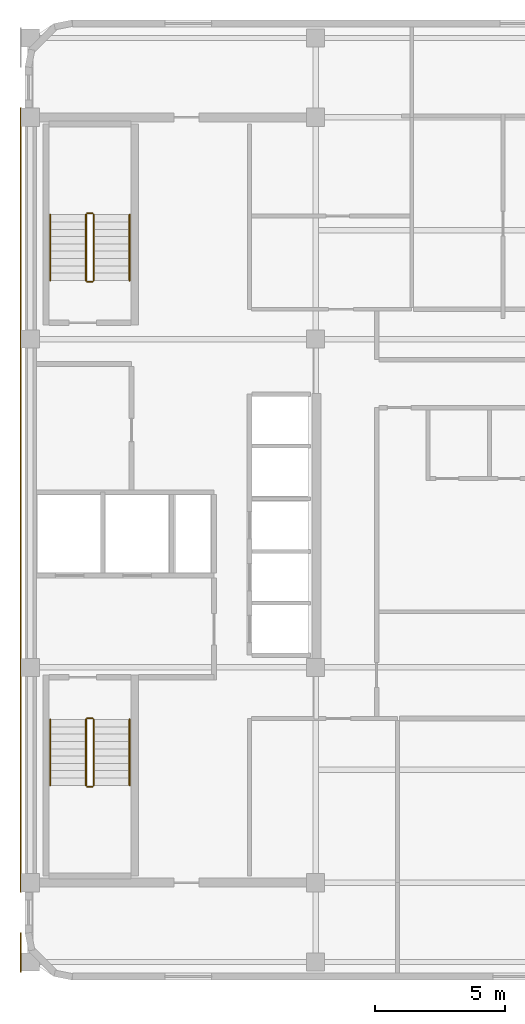
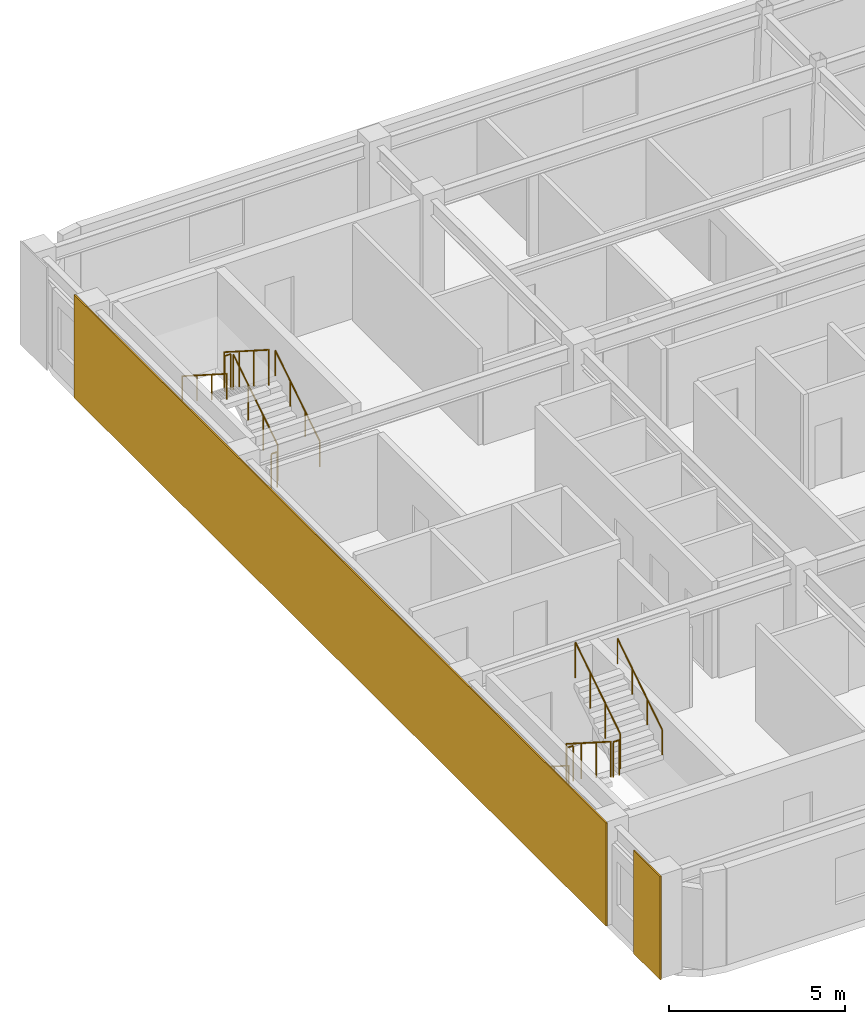
# One storey, part 7 of 8: 12 railings, 2 coverings.
"""IFC4 building model written with IfcOpenShell, lengths in metres."""

import ifcopenshell
import ifcopenshell.guid

model = None  # the IFC model being written
_history = None  # IfcOwnerHistory: only IFC2X3 demands one
_inside = {}  # id of a spatial element -> (the spatial element, [elements in it])
_under = {}  # id of a project, library or spatial element -> (it, [spatial elements below it])
_declared = {}  # id of a project -> (the project, [libraries it declares])
_typed = {}  # id of a type object -> (the type object, [elements of that type])
_made_of = {}  # id of a material, layer set ... -> (it, [elements and type objects made of it])


def new_model(schema):
    """Start an empty IFC model of exactly this schema.

    Asked for "IFC4X3", IfcOpenShell would pick the latest addendum, in which some entities
    have other attributes; the version numbers below select the first issue.
    IFC2X3 requires an IfcOwnerHistory on every rooted entity: one is made here for all.
    """
    global model, _history
    if schema == "IFC4X3":
        model = ifcopenshell.file(schema_version=(4, 3, 0, 0))
    else:
        model = ifcopenshell.file(schema=schema)
    _inside.clear()
    _under.clear()
    _declared.clear()
    _typed.clear()
    _made_of.clear()
    _history = None
    if model.schema == "IFC2X3":
        org = make("IfcOrganization", Name="unknown")
        user = make(
            "IfcPersonAndOrganization",
            ThePerson=make("IfcPerson", FamilyName="unknown"),
            TheOrganization=org,
        )
        app = make(
            "IfcApplication",
            ApplicationDeveloper=org,
            Version="unknown",
            ApplicationFullName="unknown",
            ApplicationIdentifier="unknown",
        )
        _history = make(
            "IfcOwnerHistory",
            OwningUser=user,
            OwningApplication=app,
            ChangeAction="ADDED",
            CreationDate=0,
        )
    return model


def make(cls, **values):
    """One entity of the class cls with the attributes given. An attribute that is None is left unset."""
    return model.create_entity(
        cls, **{name: value for name, value in values.items() if value is not None}
    )


def rooted(cls, **values):
    """An entity with a GlobalId (a new one), such as an element, a storey or a relation."""
    return make(cls, GlobalId=ifcopenshell.guid.new(), OwnerHistory=_history, **values)


def si_unit(unit_type, name, prefix=None):
    """IfcSIUnit, for example si_unit("LENGTHUNIT", "METRE", prefix="MILLI")."""
    return make("IfcSIUnit", UnitType=unit_type, Prefix=prefix, Name=name)


def assignment(units):
    """IfcUnitAssignment: the units of a project."""
    return None if units is None else make("IfcUnitAssignment", Units=units)


def point(xyz):
    """IfcCartesianPoint."""
    return None if xyz is None else make("IfcCartesianPoint", Coordinates=xyz)


def direction(xyz):
    """IfcDirection."""
    return None if xyz is None else make("IfcDirection", DirectionRatios=xyz)


def frame(location, z_axis=None, x_axis=None):
    """IfcAxis2Placement3D, a coordinate frame: its origin and axes. An axis left out is left unset."""
    return make(
        "IfcAxis2Placement3D",
        Location=point(location),
        Axis=direction(z_axis),
        RefDirection=direction(x_axis),
    )


def frame_2d(location, x_axis=None):
    """IfcAxis2Placement2D, a coordinate frame in the plane: its origin and x axis."""
    return make(
        "IfcAxis2Placement2D", Location=point(location), RefDirection=direction(x_axis)
    )


def origin():
    """The frame at (0, 0, 0) with its axes left unset."""
    return frame((0.0, 0.0, 0.0))


def origin_2d():
    """The frame at (0, 0) in the plane with its x axis left unset."""
    return frame_2d((0.0, 0.0))


def place(relative_to, where):
    """IfcLocalPlacement: puts the frame where relative to a parent placement (None: the world)."""
    return make(
        "IfcLocalPlacement", PlacementRelTo=relative_to, RelativePlacement=where
    )


def context(
    kind, dimensions, precision=None, world=None, true_north=None, identifier=None
):
    """IfcGeometricRepresentationContext, for example the 3D "Model" context."""
    return make(
        "IfcGeometricRepresentationContext",
        ContextIdentifier=identifier,
        ContextType=kind,
        CoordinateSpaceDimension=dimensions,
        Precision=precision,
        WorldCoordinateSystem=world,
        TrueNorth=true_north,
    )


def subcontext(parent, identifier, kind, view, scale=None):
    """IfcGeometricRepresentationSubContext, for example "Body" below "Model"."""
    return make(
        "IfcGeometricRepresentationSubContext",
        ContextIdentifier=identifier,
        ContextType=kind,
        ParentContext=parent,
        TargetScale=scale,
        TargetView=view,
    )


def project(units=None, contexts=None):
    """IfcProject with its units and contexts."""
    return rooted(
        "IfcProject",
        Name="project",
        RepresentationContexts=contexts,
        UnitsInContext=assignment(units),
    )


def spatial(cls, under=None, at=None, **own):
    """A site, building, storey or space (cls), placed at a placement, below another one or the project."""
    s = rooted(cls, ObjectPlacement=at, **own)
    if under is not None:
        _under.setdefault(under.id(), (under, []))[1].append(s)
    return s


def profile(cls, at=None, kind="AREA", **sizes):
    """A parametric profile (cls). Its sizes go by their IFC names, for example OverallWidth=200.0."""
    return make(cls, ProfileType=kind, Position=at, **sizes)


def rectangle(**sizes):
    """IfcRectangleProfileDef."""
    return profile("IfcRectangleProfileDef", **sizes)


def circle(**sizes):
    """IfcCircleProfileDef."""
    return profile("IfcCircleProfileDef", **sizes)


def extrude(swept, where, along, depth):
    """IfcExtrudedAreaSolid: the profile swept, set in the frame where, extruded along a direction by depth."""
    return make(
        "IfcExtrudedAreaSolid",
        SweptArea=swept,
        Position=where,
        ExtrudedDirection=direction(along),
        Depth=depth,
    )


def shape(context_of_items, identifier, shape_type, items):
    """IfcShapeRepresentation: the items that make up one representation, for example the "Body"."""
    return make(
        "IfcShapeRepresentation",
        ContextOfItems=context_of_items,
        RepresentationIdentifier=identifier,
        RepresentationType=shape_type,
        Items=items,
    )


def material(Name=None, Category=None):
    """IfcMaterial."""
    return make("IfcMaterial", Name=Name, Category=Category)


def layer(
    of_material, thickness, ventilated=None, Name=None, Category=None, Priority=None
):
    """IfcMaterialLayer: one layer of a wall or slab, of a material (None: an air gap)."""
    return make(
        "IfcMaterialLayer",
        Material=of_material,
        LayerThickness=thickness,
        IsVentilated=ventilated,
        Name=Name,
        Category=Category,
        Priority=Priority,
    )


def layer_set(layers, Name=None):
    """IfcMaterialLayerSet."""
    return make("IfcMaterialLayerSet", MaterialLayers=layers, LayerSetName=Name)


def made_of(thing, what):
    """Note that an element or type object is made of a material, layer set ...; save() writes the relation."""
    if what is not None:
        _made_of.setdefault(what.id(), (what, []))[1].append(thing)
    return thing


def type_object(cls, material=None, **own):
    """A type object (cls), such as IfcWallType, which elements share."""
    return made_of(rooted(cls, **own), material)


def element(
    cls,
    number,
    at=None,
    inside=None,
    cuts=None,
    type_object=None,
    material=None,
    context=None,
    identifier="Body",
    shape_type=None,
    held_by="IfcProductDefinitionShape",
    body=None,
    shapes=None,
    **own,
):
    """One element of the class cls, such as IfcWall. Its Tag is "e" and its number.

    at: its placement. inside: the storey or other place that contains it. cuts: it is an
    opening in that element (IfcRelVoidsElement). A single representation is given by context,
    identifier, shape_type and body (its items); several are given by shapes. held_by: the class
    of the entity that holds the representations. save() writes the other relations.
    """
    e = rooted(cls, Tag="e%d" % number, ObjectPlacement=at, **own)
    if body is not None:
        shapes = [shape(context, identifier, shape_type, body)]
    if shapes is not None:
        e.Representation = make(held_by, Representations=shapes)
    if inside is not None:
        _inside.setdefault(inside.id(), (inside, []))[1].append(e)
    if cuts is not None:
        rooted(
            "IfcRelVoidsElement", RelatingBuildingElement=cuts, RelatedOpeningElement=e
        )
    if type_object is not None:
        _typed.setdefault(type_object.id(), (type_object, []))[1].append(e)
    return made_of(e, material)


def aggregate(whole, parts):
    """IfcRelAggregates: a whole, such as a stair, and the parts it consists of."""
    return rooted("IfcRelAggregates", RelatingObject=whole, RelatedObjects=parts)


def save(model, path):
    """Write the relations noted so far, then the file.

    IfcRelAggregates (storeys below a building ...), IfcRelContainedInSpatialStructure (elements
    in a storey), IfcRelDefinesByType, IfcRelAssociatesMaterial and IfcRelDeclares: one each for
    every whole, place, type object, material and project.
    """
    for whole, parts in _under.values():
        aggregate(whole, parts)
    for where, things in _inside.values():
        rooted(
            "IfcRelContainedInSpatialStructure",
            RelatedElements=things,
            RelatingStructure=where,
        )
    for kind, things in _typed.values():
        rooted("IfcRelDefinesByType", RelatedObjects=things, RelatingType=kind)
    for what, things in _made_of.values():
        rooted("IfcRelAssociatesMaterial", RelatedObjects=things, RelatingMaterial=what)
    for by, libraries in _declared.values():
        rooted("IfcRelDeclares", RelatingContext=by, RelatedDefinitions=libraries)
    model.write(path)


model = new_model("IFC4")

# Units and contexts
model_context = context("Model", 3, precision=1e-05, world=origin(), true_north=direction((0.0, 1.0)))
body_context = subcontext(model_context, "Body", "Model", "MODEL_VIEW")
ifc_project = project(units=[si_unit("LENGTHUNIT", "METRE"), si_unit("AREAUNIT", "SQUARE_METRE"), si_unit("VOLUMEUNIT", "CUBIC_METRE"), si_unit("PLANEANGLEUNIT", "RADIAN"), si_unit("MASSUNIT", "GRAM", prefix="KILO")], contexts=[model_context])

# Site, building, storey
site_placement = place(None, origin())
site = spatial("IfcSite", under=ifc_project, at=site_placement, CompositionType="ELEMENT")
building_placement = place(site_placement, origin())
building = spatial("IfcBuilding", under=site, at=building_placement, Name="Ochreholt Gables", CompositionType="ELEMENT")
storey_placement = place(building_placement, frame((0.0, 0.0, 227.39990234375)))
storey = spatial("IfcBuildingStorey", under=building, at=storey_placement, Name="L59", CompositionType="ELEMENT", Elevation=227.39990234375)

# Coverings
ifc_material_1 = material(Name="Glazed Ochre Terracotta Rainscreen Cladding", Category="masonry")
ifc_layer = layer(ifc_material_1, 0.044921875, Name="Glazed Ochre Terracotta Rainscreen Cladding")
ifc_layer_set = layer_set([ifc_layer], Name="Glazed Ochre Terracotta Rainscreen Cladding")
covering_type = type_object("IfcCoveringType", Name="COV-CLAD-TC", PredefinedType="CLADDING", material=ifc_layer_set)
covering_1_placement = place(storey_placement, frame((23.827880859375, 24.0, 0.010009765625), z_axis=(0.0, 0.0, 1.0), x_axis=(0.0, 1.0, 0.0)))
element("IfcCovering", 1, at=covering_1_placement, inside=storey, type_object=covering_type, Name="L59 West Core Terracotta Rainscreen Cladding", PredefinedType="CLADDING", context=body_context, shape_type="SweptSolid", body=[
    extrude(rectangle(XDim=30.239990234375, YDim=0.044921875, at=origin_2d()), origin(), (0.0, 0.0, 1.0), 3.580078125),
])
covering_2_placement = place(storey_placement, frame((23.827880859375, 6.56005859375, 0.010009765625), z_axis=(0.0, 0.0, 1.0), x_axis=(0.0, 1.0, 0.0)))
element("IfcCovering", 2, at=covering_2_placement, inside=storey, type_object=covering_type, Name="L59 South-West Pier Terracotta Cladding", PredefinedType="CLADDING", context=body_context, shape_type="SweptSolid", body=[
    extrude(rectangle(XDim=1.52001953125, YDim=0.044921875, at=origin_2d()), origin(), (0.0, 0.0, 1.0), 3.580078125),
])

# Railings
ifc_material_2 = material(Name="Painted Steel Stair Guardrail", Category="steel")
railing_type_1 = type_object("IfcRailingType", Name="RL-ST-GUARD", PredefinedType="GUARDRAIL", material=ifc_material_2)
railing_1_placement = place(storey_placement, frame((26.35009765625, 15.5400390625, 0.18017578125)))
element("IfcRailing", 3, at=railing_1_placement, inside=storey, type_object=railing_type_1, Name="L59 ST-1 stair guard 1", PredefinedType="GUARDRAIL", context=body_context, shape_type="SweptSolid", body=[
    extrude(circle(Radius=0.02392578125, at=origin_2d()), frame((0.0, 0.0, 1.22607421875), z_axis=(0.0, -0.842949592929, 0.537992549931), x_axis=(1.0, 0.0, 0.0)), (0.0, 0.0, 1.0), 3.010986328125),
    extrude(circle(Radius=0.02099609375, at=origin_2d()), origin(), (0.0, 0.0, 1.0), 1.201904296875),
    extrude(circle(Radius=0.02099609375, at=origin_2d()), frame((0.0, -0.845947265625, 0.5400390625)), (0.0, 0.0, 1.0), 1.201904296875),
    extrude(circle(Radius=0.02099609375, at=origin_2d()), frame((0.0, -1.692138671875, 1.079833984375)), (0.0, 0.0, 1.0), 1.201904296875),
    extrude(circle(Radius=0.02099609375, at=origin_2d()), frame((0.0, -2.5380859375, 1.619873046875)), (0.0, 0.0, 1.0), 1.201904296875),
])
railing_2_placement = place(storey_placement, frame((26.39990234375, 12.951904296875, 1.800048828125)))
element("IfcRailing", 4, at=railing_2_placement, inside=storey, type_object=railing_type_1, Name="L59 ST-1 stair guard 2", PredefinedType="GUARDRAIL", context=body_context, shape_type="SweptSolid", body=[
    extrude(circle(Radius=0.02392578125, at=origin_2d()), frame((0.0, 0.0, 1.22607421875), z_axis=(1.0, 0.0, 0.0), x_axis=(0.0, 1.0, 0.0)), (0.0, 0.0, 1.0), 0.2001953125),
    extrude(circle(Radius=0.02099609375, at=origin_2d()), origin(), (0.0, 0.0, 1.0), 1.201904296875),
    extrude(circle(Radius=0.02099609375, at=origin_2d()), frame((0.2001953125, 0.0, 0.0)), (0.0, 0.0, 1.0), 1.201904296875),
])
railing_3_placement = place(storey_placement, frame((26.64990234375, 13.001953125, 1.97998046875)))
element("IfcRailing", 5, at=railing_3_placement, inside=storey, type_object=railing_type_1, Name="L59 ST-1 stair guard 3", PredefinedType="GUARDRAIL", context=body_context, shape_type="SweptSolid", body=[
    extrude(circle(Radius=0.02392578125, at=origin_2d()), frame((0.0, 0.0, 1.22607421875), z_axis=(0.0, 0.842912820907, 0.538050161556), x_axis=(-1.0, 0.0, 0.0)), (0.0, 0.0, 1.0), 3.010986328125),
    extrude(circle(Radius=0.02099609375, at=origin_2d()), origin(), (0.0, 0.0, 1.0), 1.201904296875),
    extrude(circle(Radius=0.02099609375, at=origin_2d()), frame((0.0, 0.845947265625, 0.5400390625)), (0.0, 0.0, 1.0), 1.201904296875),
    extrude(circle(Radius=0.02099609375, at=origin_2d()), frame((0.0, 1.692138671875, 1.080078125)), (0.0, 0.0, 1.0), 1.201904296875),
    extrude(circle(Radius=0.02099609375, at=origin_2d()), frame((0.0, 2.5380859375, 1.6201171875)), (0.0, 0.0, 1.0), 1.201904296875),
])
railing_4_placement = place(storey_placement, frame((26.39990234375, 15.590087890625, 0.0)))
element("IfcRailing", 6, at=railing_4_placement, inside=storey, type_object=railing_type_1, Name="L59 ST-1 stair guard 4", PredefinedType="GUARDRAIL", context=body_context, shape_type="SweptSolid", body=[
    extrude(circle(Radius=0.02392578125, at=origin_2d()), frame((0.0, 0.0, 1.22607421875), z_axis=(1.0, 0.0, 0.0), x_axis=(0.0, 1.0, 0.0)), (0.0, 0.0, 1.0), 0.2001953125),
    extrude(circle(Radius=0.02099609375, at=origin_2d()), origin(), (0.0, 0.0, 1.0), 1.201904296875),
    extrude(circle(Radius=0.02099609375, at=origin_2d()), frame((0.2001953125, 0.0, 0.0)), (0.0, 0.0, 1.0), 1.201904296875),
])
railing_5_placement = place(storey_placement, frame((26.64990234375, 32.4599609375, 0.18017578125)))
element("IfcRailing", 7, at=railing_5_placement, inside=storey, type_object=railing_type_1, Name="L59 ST-2 stair guard 1", PredefinedType="GUARDRAIL", context=body_context, shape_type="SweptSolid", body=[
    extrude(circle(Radius=0.02392578125, at=origin_2d()), frame((0.0, 0.0, 1.22607421875), z_axis=(0.0, 0.842949592929, 0.537992549931), x_axis=(-1.0, 0.0, 0.0)), (0.0, 0.0, 1.0), 3.010986328125),
    extrude(circle(Radius=0.02099609375, at=origin_2d()), origin(), (0.0, 0.0, 1.0), 1.201904296875),
    extrude(circle(Radius=0.02099609375, at=origin_2d()), frame((0.0, 0.845947265625, 0.5400390625)), (0.0, 0.0, 1.0), 1.201904296875),
    extrude(circle(Radius=0.02099609375, at=origin_2d()), frame((0.0, 1.692138671875, 1.079833984375)), (0.0, 0.0, 1.0), 1.201904296875),
    extrude(circle(Radius=0.02099609375, at=origin_2d()), frame((0.0, 2.5380859375, 1.619873046875)), (0.0, 0.0, 1.0), 1.201904296875),
])
railing_6_placement = place(storey_placement, frame((26.60009765625, 35.048095703125, 1.800048828125)))
element("IfcRailing", 8, at=railing_6_placement, inside=storey, type_object=railing_type_1, Name="L59 ST-2 stair guard 2", PredefinedType="GUARDRAIL", context=body_context, shape_type="SweptSolid", body=[
    extrude(circle(Radius=0.02392578125, at=origin_2d()), frame((0.0, 0.0, 1.22607421875), z_axis=(-1.0, 0.0, 0.0), x_axis=(0.0, -1.0, 0.0)), (0.0, 0.0, 1.0), 0.2001953125),
    extrude(circle(Radius=0.02099609375, at=origin_2d()), origin(), (0.0, 0.0, 1.0), 1.201904296875),
    extrude(circle(Radius=0.02099609375, at=origin_2d()), frame((-0.2001953125, 0.0, 0.0)), (0.0, 0.0, 1.0), 1.201904296875),
])
railing_7_placement = place(storey_placement, frame((26.35009765625, 34.998046875, 1.97998046875)))
element("IfcRailing", 9, at=railing_7_placement, inside=storey, type_object=railing_type_1, Name="L59 ST-2 stair guard 3", PredefinedType="GUARDRAIL", context=body_context, shape_type="SweptSolid", body=[
    extrude(circle(Radius=0.02392578125, at=origin_2d()), frame((0.0, 0.0, 1.22607421875), z_axis=(0.0, -0.842912820907, 0.538050161556), x_axis=(1.0, 0.0, 0.0)), (0.0, 0.0, 1.0), 3.010986328125),
    extrude(circle(Radius=0.02099609375, at=origin_2d()), origin(), (0.0, 0.0, 1.0), 1.201904296875),
    extrude(circle(Radius=0.02099609375, at=origin_2d()), frame((0.0, -0.845947265625, 0.5400390625)), (0.0, 0.0, 1.0), 1.201904296875),
    extrude(circle(Radius=0.02099609375, at=origin_2d()), frame((0.0, -1.692138671875, 1.080078125)), (0.0, 0.0, 1.0), 1.201904296875),
    extrude(circle(Radius=0.02099609375, at=origin_2d()), frame((0.0, -2.5380859375, 1.6201171875)), (0.0, 0.0, 1.0), 1.201904296875),
])
railing_8_placement = place(storey_placement, frame((26.60009765625, 32.409912109375, 0.0)))
element("IfcRailing", 10, at=railing_8_placement, inside=storey, type_object=railing_type_1, Name="L59 ST-2 stair guard 4", PredefinedType="GUARDRAIL", context=body_context, shape_type="SweptSolid", body=[
    extrude(circle(Radius=0.02392578125, at=origin_2d()), frame((0.0, 0.0, 1.22607421875), z_axis=(-1.0, 0.0, 0.0), x_axis=(0.0, -1.0, 0.0)), (0.0, 0.0, 1.0), 0.2001953125),
    extrude(circle(Radius=0.02099609375, at=origin_2d()), origin(), (0.0, 0.0, 1.0), 1.201904296875),
    extrude(circle(Radius=0.02099609375, at=origin_2d()), frame((-0.2001953125, 0.0, 0.0)), (0.0, 0.0, 1.0), 1.201904296875),
])
ifc_material_3 = material(Name="Brushed Stainless Steel Wall Handrail", Category="steel")
railing_type_2 = type_object("IfcRailingType", Name="RL-ST-HAND", PredefinedType="HANDRAIL", material=ifc_material_3)
railing_9_placement = place(storey_placement, frame((24.969970703125, 15.5400390625, 0.18017578125)))
element("IfcRailing", 11, at=railing_9_placement, inside=storey, type_object=railing_type_2, Name="L59 ST-1 stair handrail 1", PredefinedType="HANDRAIL", context=body_context, shape_type="SweptSolid", body=[
    extrude(circle(Radius=0.02392578125, at=origin_2d()), frame((0.0, 0.0, 0.8759765625), z_axis=(0.0, -0.842949592929, 0.537992549931), x_axis=(1.0, 0.0, 0.0)), (0.0, 0.0, 1.0), 3.010986328125),
    extrude(circle(Radius=0.02099609375, at=origin_2d()), origin(), (0.0, 0.0, 1.0), 0.851806640625),
    extrude(circle(Radius=0.02099609375, at=origin_2d()), frame((0.0, -0.845947265625, 0.5400390625)), (0.0, 0.0, 1.0), 0.851806640625),
    extrude(circle(Radius=0.02099609375, at=origin_2d()), frame((0.0, -1.692138671875, 1.079833984375)), (0.0, 0.0, 1.0), 0.851806640625),
    extrude(circle(Radius=0.02099609375, at=origin_2d()), frame((0.0, -2.5380859375, 1.619873046875)), (0.0, 0.0, 1.0), 0.851806640625),
])
railing_10_placement = place(storey_placement, frame((28.030029296875, 13.001953125, 1.97998046875)))
element("IfcRailing", 12, at=railing_10_placement, inside=storey, type_object=railing_type_2, Name="L59 ST-1 stair handrail 2", PredefinedType="HANDRAIL", context=body_context, shape_type="SweptSolid", body=[
    extrude(circle(Radius=0.02392578125, at=origin_2d()), frame((0.0, 0.0, 0.8759765625), z_axis=(0.0, 0.842912820907, 0.538050161556), x_axis=(-1.0, 0.0, 0.0)), (0.0, 0.0, 1.0), 3.010986328125),
    extrude(circle(Radius=0.02099609375, at=origin_2d()), origin(), (0.0, 0.0, 1.0), 0.851806640625),
    extrude(circle(Radius=0.02099609375, at=origin_2d()), frame((0.0, 0.845947265625, 0.5400390625)), (0.0, 0.0, 1.0), 0.851806640625),
    extrude(circle(Radius=0.02099609375, at=origin_2d()), frame((0.0, 1.692138671875, 1.080078125)), (0.0, 0.0, 1.0), 0.851806640625),
    extrude(circle(Radius=0.02099609375, at=origin_2d()), frame((0.0, 2.5380859375, 1.6201171875)), (0.0, 0.0, 1.0), 0.851806640625),
])
railing_11_placement = place(storey_placement, frame((28.030029296875, 32.4599609375, 0.18017578125)))
element("IfcRailing", 13, at=railing_11_placement, inside=storey, type_object=railing_type_2, Name="L59 ST-2 stair handrail 1", PredefinedType="HANDRAIL", context=body_context, shape_type="SweptSolid", body=[
    extrude(circle(Radius=0.02392578125, at=origin_2d()), frame((0.0, 0.0, 0.8759765625), z_axis=(0.0, 0.842949592929, 0.537992549931), x_axis=(-1.0, 0.0, 0.0)), (0.0, 0.0, 1.0), 3.010986328125),
    extrude(circle(Radius=0.02099609375, at=origin_2d()), origin(), (0.0, 0.0, 1.0), 0.851806640625),
    extrude(circle(Radius=0.02099609375, at=origin_2d()), frame((0.0, 0.845947265625, 0.5400390625)), (0.0, 0.0, 1.0), 0.851806640625),
    extrude(circle(Radius=0.02099609375, at=origin_2d()), frame((0.0, 1.692138671875, 1.079833984375)), (0.0, 0.0, 1.0), 0.851806640625),
    extrude(circle(Radius=0.02099609375, at=origin_2d()), frame((0.0, 2.5380859375, 1.619873046875)), (0.0, 0.0, 1.0), 0.851806640625),
])
railing_12_placement = place(storey_placement, frame((24.969970703125, 34.998046875, 1.97998046875)))
element("IfcRailing", 14, at=railing_12_placement, inside=storey, type_object=railing_type_2, Name="L59 ST-2 stair handrail 2", PredefinedType="HANDRAIL", context=body_context, shape_type="SweptSolid", body=[
    extrude(circle(Radius=0.02392578125, at=origin_2d()), frame((0.0, 0.0, 0.8759765625), z_axis=(0.0, -0.842912820907, 0.538050161556), x_axis=(1.0, 0.0, 0.0)), (0.0, 0.0, 1.0), 3.010986328125),
    extrude(circle(Radius=0.02099609375, at=origin_2d()), origin(), (0.0, 0.0, 1.0), 0.851806640625),
    extrude(circle(Radius=0.02099609375, at=origin_2d()), frame((0.0, -0.845947265625, 0.5400390625)), (0.0, 0.0, 1.0), 0.851806640625),
    extrude(circle(Radius=0.02099609375, at=origin_2d()), frame((0.0, -1.692138671875, 1.080078125)), (0.0, 0.0, 1.0), 0.851806640625),
    extrude(circle(Radius=0.02099609375, at=origin_2d()), frame((0.0, -2.5380859375, 1.6201171875)), (0.0, 0.0, 1.0), 0.851806640625),
])

save(model, "model.ifc")
